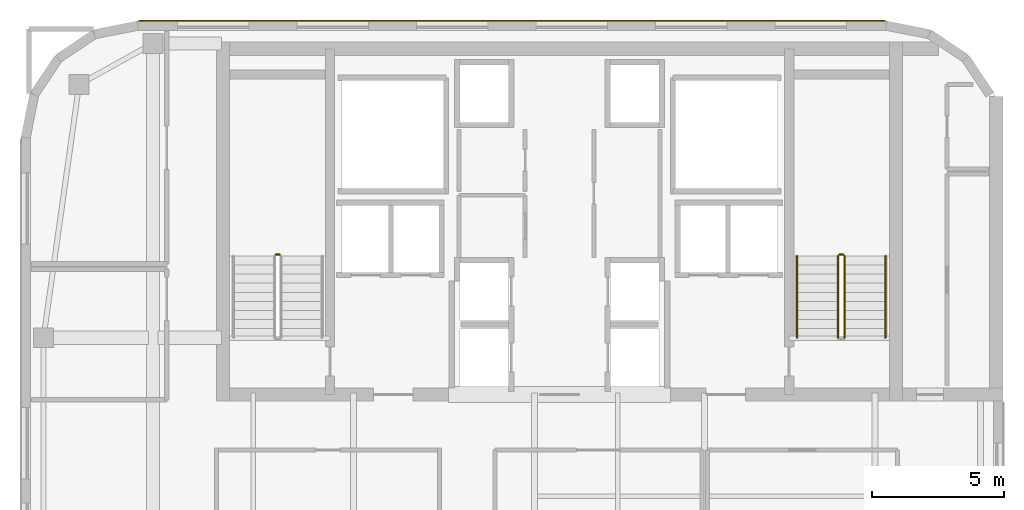
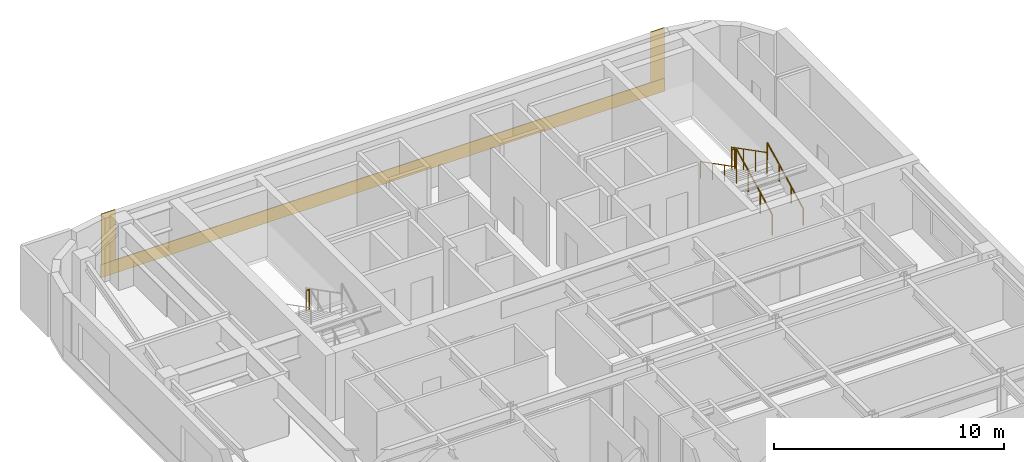
# One storey, part 11 of 11: 6 railings, 3 coverings.
"""IFC4 building model written with IfcOpenShell, lengths in metres."""

from ifc_helpers import new_model, si_unit, direction, frame, origin, origin_2d, place, context, subcontext, project, spatial, polyline, circle, outline, extrude, material, layer, layer_set, type_object, element, save


model = new_model("IFC4")

# Units and contexts
model_context = context("Model", 3, precision=1e-05, world=origin(), true_north=direction((0.0, 1.0)))
body_context = subcontext(model_context, "Body", "Model", "MODEL_VIEW")
ifc_project = project(units=[si_unit("LENGTHUNIT", "METRE"), si_unit("AREAUNIT", "SQUARE_METRE"), si_unit("VOLUMEUNIT", "CUBIC_METRE"), si_unit("PLANEANGLEUNIT", "RADIAN"), si_unit("MASSUNIT", "GRAM", prefix="KILO")], contexts=[model_context])

# Site, building, storey
site_placement = place(None, origin())
site = spatial("IfcSite", under=ifc_project, at=site_placement, CompositionType="ELEMENT")
building_placement = place(site_placement, origin())
building = spatial("IfcBuilding", under=site, at=building_placement, Name="Tolvann Quenvar Hotel", CompositionType="ELEMENT")
storey_placement = place(building_placement, frame((0.0, 0.0, 234.550048828125)))
storey = spatial("IfcBuildingStorey", under=building, at=storey_placement, Name="L62", CompositionType="ELEMENT", Elevation=234.550048828125)

# Coverings
ifc_material_1 = material(Name="Kiln-fired red architectural face brick cladding", Category="masonry")
ifc_layer_1 = layer(ifc_material_1, 0.0400390625)
ifc_layer_set_1 = layer_set([ifc_layer_1], Name="Kiln-fired red architectural face brick cladding")
covering_type_1 = type_object("IfcCoveringType", Name="COV_CLAD_BRICK_40", PredefinedType="CLADDING", material=ifc_layer_set_1)
covering_1_placement = place(storey_placement, frame((0.0, 0.0, 0.699951171875)))
element("IfcCovering", 1, at=covering_1_placement, inside=storey, type_object=covering_type_1, Name="Brick Pier Cladding (L62-E14-P1)", PredefinedType="CLADDING", context=body_context, shape_type="SweptSolid", body=[
    extrude(outline(polyline([(35.332763671875, 46.0), (34.6328125, 46.0), (34.6328125, 46.0400390625), (35.332763671875, 46.0400390625), (35.332763671875, 46.0)])), origin(), (0.0, 0.0, 1.0), 2.669921875),
])
covering_2_placement = place(storey_placement, frame((0.0, 0.0, 0.699951171875)))
element("IfcCovering", 2, at=covering_2_placement, inside=storey, type_object=covering_type_1, Name="Brick Pier Cladding (L62-E14-P2)", PredefinedType="CLADDING", context=body_context, shape_type="SweptSolid", body=[
    extrude(outline(polyline([(7.76708984375, 46.0), (7.067138671875, 46.0), (7.067138671875, 46.0400390625), (7.76708984375, 46.0400390625), (7.76708984375, 46.0)])), origin(), (0.0, 0.0, 1.0), 2.669921875),
])
ifc_material_2 = material(Name="Moulded buff architectural terracotta spandrel cladding", Category="masonry")
ifc_layer_2 = layer(ifc_material_2, 0.0400390625)
ifc_layer_set_2 = layer_set([ifc_layer_2], Name="Moulded buff architectural terracotta spandrel cladding")
covering_type_2 = type_object("IfcCoveringType", Name="COV_CLAD_TERRA_40", PredefinedType="CLADDING", material=ifc_layer_set_2)
covering_3_placement = place(storey_placement, origin())
element("IfcCovering", 3, at=covering_3_placement, inside=storey, type_object=covering_type_2, Name="Terracotta Spandrel Cladding (L62-E14)", PredefinedType="CLADDING", context=body_context, shape_type="SweptSolid", body=[
    extrude(outline(polyline([(35.3427734375, 46.0), (7.05712890625, 46.0), (7.05712890625, 46.0400390625), (35.3427734375, 46.0400390625), (35.3427734375, 46.0)])), origin(), (0.0, 0.0, 1.0), 0.699951171875),
])

# Railings
ifc_material_3 = material(Name="Brushed 316 stainless steel balustrade and handrail", Category="steel")
railing_type_1 = type_object("IfcRailingType", Name="GUARDRAIL", PredefinedType="GUARDRAIL", material=ifc_material_3)
railing_1_placement = place(storey_placement, frame((12.39990234375, 37.155029296875, 1.77490234375)))
element("IfcRailing", 4, at=railing_1_placement, inside=storey, type_object=railing_type_1, Name="L62 ST-C1 stair guard 2", PredefinedType="GUARDRAIL", context=body_context, shape_type="SweptSolid", body=[
    extrude(circle(Radius=0.02392578125, at=origin_2d()), frame((0.0, 0.0, 1.09619140625), z_axis=(-1.0, 0.0, 0.0), x_axis=(0.0, -1.0, 0.0)), (0.0, 0.0, 1.0), 0.14990234375),
    extrude(circle(Radius=0.02099609375, at=origin_2d()), origin(), (0.0, 0.0, 1.0), 1.072021484375),
    extrude(circle(Radius=0.02099609375, at=origin_2d()), frame((-0.14990234375, 0.0, 0.0)), (0.0, 0.0, 1.0), 1.072021484375),
])
railing_2_placement = place(storey_placement, frame((33.800048828125, 34.0, 0.177490234375)))
element("IfcRailing", 5, at=railing_2_placement, inside=storey, type_object=railing_type_1, Name="L62 ST-C2 stair guard 1", PredefinedType="GUARDRAIL", context=body_context, shape_type="SweptSolid", body=[
    extrude(circle(Radius=0.02392578125, at=origin_2d()), frame((0.0, 0.0, 1.09619140625), z_axis=(0.0, 0.889221982265, 0.45747597342), x_axis=(-1.0, 0.0, 0.0)), (0.0, 0.0, 1.0), 3.49169921875),
    extrude(circle(Radius=0.02099609375, at=origin_2d()), origin(), (0.0, 0.0, 1.0), 1.072021484375),
    extrude(circle(Radius=0.02099609375, at=origin_2d()), frame((0.0, 1.034912109375, 0.532470703125)), (0.0, 0.0, 1.0), 1.072021484375),
    extrude(circle(Radius=0.02099609375, at=origin_2d()), frame((0.0, 2.070068359375, 1.06494140625)), (0.0, 0.0, 1.0), 1.072021484375),
    extrude(circle(Radius=0.02099609375, at=origin_2d()), frame((0.0, 3.10498046875, 1.597412109375)), (0.0, 0.0, 1.0), 1.072021484375),
])
railing_3_placement = place(storey_placement, frame((33.75, 37.155029296875, 1.77490234375)))
element("IfcRailing", 6, at=railing_3_placement, inside=storey, type_object=railing_type_1, Name="L62 ST-C2 stair guard 2", PredefinedType="GUARDRAIL", context=body_context, shape_type="SweptSolid", body=[
    extrude(circle(Radius=0.02392578125, at=origin_2d()), frame((0.0, 0.0, 1.09619140625), z_axis=(-1.0, 0.0, 0.0), x_axis=(0.0, -1.0, 0.0)), (0.0, 0.0, 1.0), 0.14990234375),
    extrude(circle(Radius=0.02099609375, at=origin_2d()), origin(), (0.0, 0.0, 1.0), 1.072021484375),
    extrude(circle(Radius=0.02099609375, at=origin_2d()), frame((-0.14990234375, 0.0, 0.0)), (0.0, 0.0, 1.0), 1.072021484375),
])
railing_4_placement = place(storey_placement, frame((33.550048828125, 37.10498046875, 1.952392578125)))
element("IfcRailing", 7, at=railing_4_placement, inside=storey, type_object=railing_type_1, Name="L62 ST-C2 stair guard 3", PredefinedType="GUARDRAIL", context=body_context, shape_type="SweptSolid", body=[
    extrude(circle(Radius=0.02392578125, at=origin_2d()), frame((0.0, 0.0, 1.09619140625), z_axis=(0.0, -0.88919353882, 0.457531256332), x_axis=(1.0, 0.0, 0.0)), (0.0, 0.0, 1.0), 3.491943359375),
    extrude(circle(Radius=0.02099609375, at=origin_2d()), origin(), (0.0, 0.0, 1.0), 1.072021484375),
    extrude(circle(Radius=0.02099609375, at=origin_2d()), frame((0.0, -1.034912109375, 0.532470703125)), (0.0, 0.0, 1.0), 1.072021484375),
    extrude(circle(Radius=0.02099609375, at=origin_2d()), frame((0.0, -2.070068359375, 1.065185546875)), (0.0, 0.0, 1.0), 1.072021484375),
    extrude(circle(Radius=0.02099609375, at=origin_2d()), frame((0.0, -3.10498046875, 1.59765625)), (0.0, 0.0, 1.0), 1.072021484375),
])
railing_type_2 = type_object("IfcRailingType", Name="HANDRAIL", PredefinedType="HANDRAIL", material=ifc_material_3)
railing_5_placement = place(storey_placement, frame((35.35009765625, 34.0, 0.177490234375)))
element("IfcRailing", 8, at=railing_5_placement, inside=storey, type_object=railing_type_2, Name="L62 ST-C2 stair handrail 1", PredefinedType="HANDRAIL", context=body_context, shape_type="SweptSolid", body=[
    extrude(circle(Radius=0.02392578125, at=origin_2d()), frame((0.0, 0.0, 0.8759765625), z_axis=(0.0, 0.889221982265, 0.45747597342), x_axis=(-1.0, 0.0, 0.0)), (0.0, 0.0, 1.0), 3.49169921875),
    extrude(circle(Radius=0.02099609375, at=origin_2d()), origin(), (0.0, 0.0, 1.0), 0.851806640625),
    extrude(circle(Radius=0.02099609375, at=origin_2d()), frame((0.0, 1.034912109375, 0.532470703125)), (0.0, 0.0, 1.0), 0.851806640625),
    extrude(circle(Radius=0.02099609375, at=origin_2d()), frame((0.0, 2.070068359375, 1.06494140625)), (0.0, 0.0, 1.0), 0.851806640625),
    extrude(circle(Radius=0.02099609375, at=origin_2d()), frame((0.0, 3.10498046875, 1.597412109375)), (0.0, 0.0, 1.0), 0.851806640625),
])
railing_6_placement = place(storey_placement, frame((32.0, 37.10498046875, 1.952392578125)))
element("IfcRailing", 9, at=railing_6_placement, inside=storey, type_object=railing_type_2, Name="L62 ST-C2 stair handrail 2", PredefinedType="HANDRAIL", context=body_context, shape_type="SweptSolid", body=[
    extrude(circle(Radius=0.02392578125, at=origin_2d()), frame((0.0, 0.0, 0.8759765625), z_axis=(0.0, -0.88919353882, 0.457531256332), x_axis=(1.0, 0.0, 0.0)), (0.0, 0.0, 1.0), 3.491943359375),
    extrude(circle(Radius=0.02099609375, at=origin_2d()), origin(), (0.0, 0.0, 1.0), 0.851806640625),
    extrude(circle(Radius=0.02099609375, at=origin_2d()), frame((0.0, -1.034912109375, 0.532470703125)), (0.0, 0.0, 1.0), 0.851806640625),
    extrude(circle(Radius=0.02099609375, at=origin_2d()), frame((0.0, -2.070068359375, 1.065185546875)), (0.0, 0.0, 1.0), 0.851806640625),
    extrude(circle(Radius=0.02099609375, at=origin_2d()), frame((0.0, -3.10498046875, 1.59765625)), (0.0, 0.0, 1.0), 0.851806640625),
])

save(model, "model.ifc")
